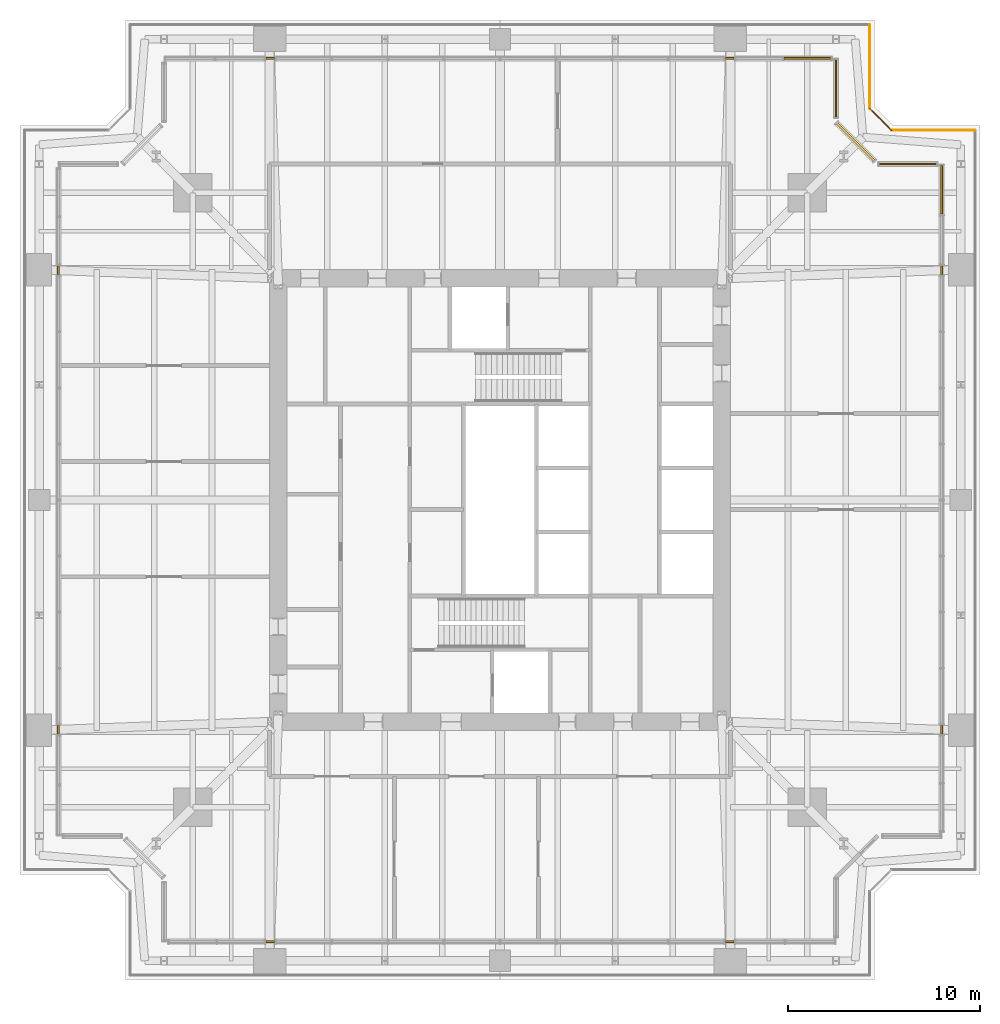
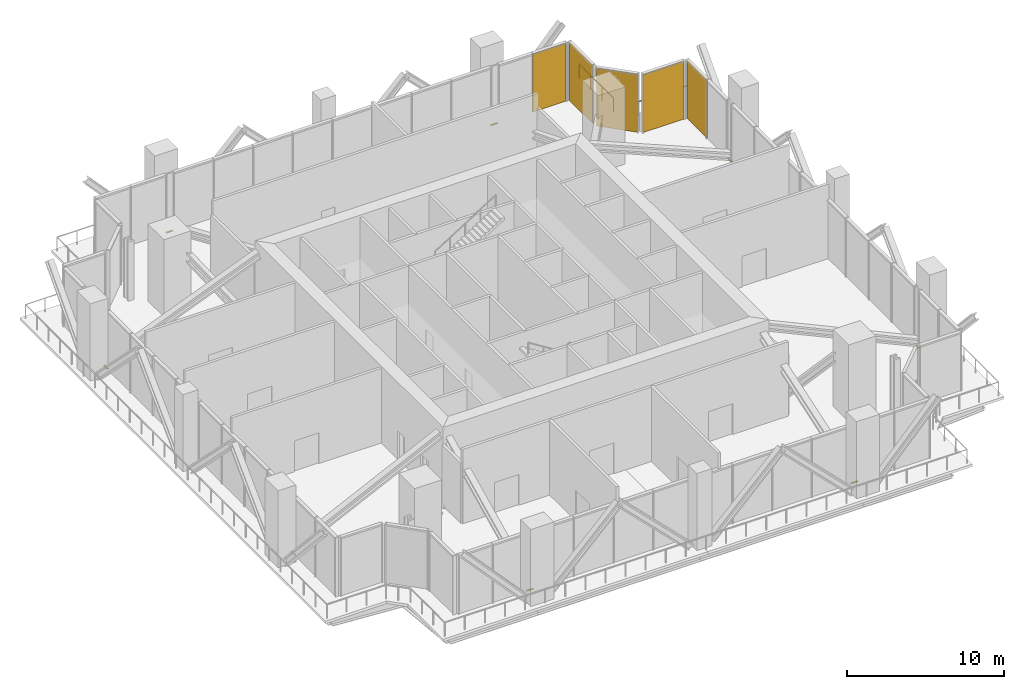
# One storey, part 14 of 14: 8 coverings, 5 shading devices, 3 railings, 5 elements without a shape of their own.
"""IFC4 building model written with IfcOpenShell, lengths in metres."""

from ifc_helpers import new_model, si_unit, direction, frame, origin, origin_2d, place, context, subcontext, project, spatial, rectangle, circle, extrude, material, layer, layer_set, type_object, element, aggregate, save


model = new_model("IFC4")

# Units and contexts
model_context = context("Model", 3, precision=1e-05, world=origin(), true_north=direction((0.0, 1.0)))
body_context = subcontext(model_context, "Body", "Model", "MODEL_VIEW")
ifc_project = project(units=[si_unit("LENGTHUNIT", "METRE"), si_unit("AREAUNIT", "SQUARE_METRE"), si_unit("VOLUMEUNIT", "CUBIC_METRE"), si_unit("PLANEANGLEUNIT", "RADIAN"), si_unit("MASSUNIT", "GRAM", prefix="KILO")], contexts=[model_context])

# Site, building, storey
site_placement = place(None, origin())
site = spatial("IfcSite", under=ifc_project, at=site_placement, CompositionType="ELEMENT")
building_placement = place(site_placement, origin())
building = spatial("IfcBuilding", under=site, at=building_placement, Name="Fenwick Lantern Interchange", CompositionType="ELEMENT")
storey_placement = place(building_placement, frame((0.0, 0.0, 233.800048828125)))
storey = spatial("IfcBuildingStorey", under=building, at=storey_placement, Name="L55", CompositionType="ELEMENT", Elevation=233.800048828125)

# Coverings
ifc_material_1 = material(Name="Insulated aluminium closure panel", Category="aluminium")
ifc_layer_1 = layer(ifc_material_1, 0.10009765625)
ifc_layer_set_1 = layer_set([ifc_layer_1], Name="LOUVRE SCREEN CLOSURE PANEL 100")
covering_type = type_object("IfcCoveringType", Name="LOUVRE SCREEN CLOSURE PANEL 100", PredefinedType="CLADDING", material=ifc_layer_set_1)
for number, where, z_axis, x_axis, name in (
    (1, (48.0, 13.03759765625, 0.0), (0.0, 0.0, 1.0), (0.0, 1.0, 0.0), "Louvre screen closure panel 04-1"),
    (2, (48.0, 36.96240234375, 0.0), (0.0, 0.0, 1.0), (0.0, 1.0, 0.0), "Louvre screen closure panel 04-2"),
):
    element("IfcCovering", number, at=place(storey_placement, frame(where, z_axis=z_axis, x_axis=x_axis)), inside=storey, type_object=covering_type, Name=name, PredefinedType="CLADDING", context=body_context, shape_type="SweptSolid", body=[
        extrude(rectangle(XDim=0.484375, YDim=0.10009765625, at=origin_2d()), origin(), (0.0, 0.0, 1.0), 0.060302734375),
    ])
for number, where, z_axis, x_axis, name in (
    (3, (36.965087890625, 48.0, 0.0), (0.0, 0.0, 1.0), (-1.0, 0.0, 0.0), "Louvre screen closure panel 08-1"),
    (4, (13.034912109375, 48.0, 0.0), (0.0, 0.0, 1.0), (-1.0, 0.0, 0.0), "Louvre screen closure panel 08-2"),
):
    element("IfcCovering", number, at=place(storey_placement, frame(where, z_axis=z_axis, x_axis=x_axis)), inside=storey, type_object=covering_type, Name=name, PredefinedType="CLADDING", context=body_context, shape_type="SweptSolid", body=[
        extrude(rectangle(XDim=0.483642578125, YDim=0.10009765625, at=origin_2d()), origin(), (0.0, 0.0, 1.0), 0.035888671875),
    ])
for number, where, z_axis, x_axis, name in (
    (5, (2.0, 36.96240234375, 0.0), (0.0, 0.0, 1.0), (0.0, -1.0, 0.0), "Louvre screen closure panel 12-1"),
    (6, (2.0, 13.03759765625, 0.0), (0.0, 0.0, 1.0), (0.0, -1.0, 0.0), "Louvre screen closure panel 12-2"),
):
    element("IfcCovering", number, at=place(storey_placement, frame(where, z_axis=z_axis, x_axis=x_axis)), inside=storey, type_object=covering_type, Name=name, PredefinedType="CLADDING", context=body_context, shape_type="SweptSolid", body=[
        extrude(rectangle(XDim=0.484375, YDim=0.10009765625, at=origin_2d()), origin(), (0.0, 0.0, 1.0), 0.060302734375),
    ])
for number, where, z_axis, x_axis, name in (
    (7, (13.034912109375, 2.0, 0.0), (0.0, 0.0, 1.0), (1.0, 0.0, 0.0), "Louvre screen closure panel 16-1"),
    (8, (36.965087890625, 2.0, 0.0), (0.0, 0.0, 1.0), (1.0, 0.0, 0.0), "Louvre screen closure panel 16-2"),
):
    element("IfcCovering", number, at=place(storey_placement, frame(where, z_axis=z_axis, x_axis=x_axis)), inside=storey, type_object=covering_type, Name=name, PredefinedType="CLADDING", context=body_context, shape_type="SweptSolid", body=[
        extrude(rectangle(XDim=0.483642578125, YDim=0.10009765625, at=origin_2d()), origin(), (0.0, 0.0, 1.0), 0.035888671875),
    ])

# Railings
ifc_material_2 = material(Name="Galvanised steel guard", Category="steel")
railing_type = type_object("IfcRailingType", Name="MAINTENANCE LEDGE GUARD 1100", PredefinedType="GUARDRAIL", material=ifc_material_2)
railing_1_placement = place(storey_placement, frame((49.75, 44.25, 0.0)))
element("IfcRailing", 9, at=railing_1_placement, inside=storey, type_object=railing_type, Name="L55/GR/LEDGE06", PredefinedType="GUARDRAIL", context=body_context, shape_type="SweptSolid", body=[
    extrude(circle(Radius=0.02392578125, at=origin_2d()), frame((0.0, 0.0, 1.076171875), z_axis=(-1.0, 0.0, 0.0), x_axis=(0.0, -1.0, 0.0)), (0.0, 0.0, 1.0), 4.353515625),
    extrude(circle(Radius=0.02099609375, at=origin_2d()), origin(), (0.0, 0.0, 1.0), 1.052001953125),
    extrude(circle(Radius=0.02099609375, at=origin_2d()), frame((-1.451171875, 0.0, 0.0)), (0.0, 0.0, 1.0), 1.052001953125),
    extrude(circle(Radius=0.02099609375, at=origin_2d()), frame((-2.90234375, 0.0, 0.0)), (0.0, 0.0, 1.0), 1.052001953125),
    extrude(circle(Radius=0.02099609375, at=origin_2d()), frame((-4.353515625, 0.0, 0.0)), (0.0, 0.0, 1.0), 1.052001953125),
])
railing_2_placement = place(storey_placement, frame((45.396484375, 44.25, 0.0)))
element("IfcRailing", 10, at=railing_2_placement, inside=storey, type_object=railing_type, Name="L55/GR/LEDGE07", PredefinedType="GUARDRAIL", context=body_context, shape_type="SweptSolid", body=[
    extrude(circle(Radius=0.02392578125, at=origin_2d()), frame((0.0, 0.0, 1.076171875), z_axis=(-0.707106781187, 0.707106781187, 0.0), x_axis=(-0.707106781187, -0.707106781187, 0.0)), (0.0, 0.0, 1.0), 1.621337890625),
    extrude(circle(Radius=0.02099609375, at=origin_2d()), origin(), (0.0, 0.0, 1.0), 1.052001953125),
    extrude(circle(Radius=0.02099609375, at=origin_2d()), frame((-0.5732421875, 0.5732421875, 0.0)), (0.0, 0.0, 1.0), 1.052001953125),
    extrude(circle(Radius=0.02099609375, at=origin_2d()), frame((-1.146484375, 1.146484375, 0.0)), (0.0, 0.0, 1.0), 1.052001953125),
])
railing_3_placement = place(storey_placement, frame((44.25, 45.396484375, 0.0)))
element("IfcRailing", 11, at=railing_3_placement, inside=storey, type_object=railing_type, Name="L55/GR/LEDGE08", PredefinedType="GUARDRAIL", context=body_context, shape_type="SweptSolid", body=[
    extrude(circle(Radius=0.02392578125, at=origin_2d()), frame((0.0, 0.0, 1.076171875), z_axis=(0.0, 1.0, 0.0), x_axis=(-1.0, 0.0, 0.0)), (0.0, 0.0, 1.0), 4.353515625),
    extrude(circle(Radius=0.02099609375, at=origin_2d()), origin(), (0.0, 0.0, 1.0), 1.052001953125),
    extrude(circle(Radius=0.02099609375, at=origin_2d()), frame((0.0, 1.451171875, 0.0)), (0.0, 0.0, 1.0), 1.052001953125),
    extrude(circle(Radius=0.02099609375, at=origin_2d()), frame((0.0, 2.90234375, 0.0)), (0.0, 0.0, 1.0), 1.052001953125),
    extrude(circle(Radius=0.02099609375, at=origin_2d()), frame((0.0, 4.353515625, 0.0)), (0.0, 0.0, 1.0), 1.052001953125),
])

# Curtain wall, shading device
ifc_material_3 = material(Name="Aluminium curtain wall frame", Category="aluminium")
curtain_wall_type = type_object("IfcCurtainWallType", Name="PLANT LOUVRE SCREEN", PredefinedType="USERDEFINED", material=ifc_material_3)
curtain_wall_1_placement = place(storey_placement, origin())
curtain_wall_1 = element("IfcCurtainWall", 12, at=curtain_wall_1_placement, inside=storey, type_object=curtain_wall_type, Name="Plant louvre screen 04C", ObjectType="PLANT LOUVRE SCREEN", PredefinedType="USERDEFINED")
ifc_material_4 = material(Name="Louvre panel, anodised aluminium blades", Category="aluminium")
ifc_layer_2 = layer(ifc_material_4, 0.10009765625)
ifc_layer_set_2 = layer_set([ifc_layer_2], Name="PLANT LOUVRE SCREEN PANEL 100")
shading_device_type = type_object("IfcShadingDeviceType", Name="PLANT LOUVRE SCREEN PANEL 100", PredefinedType="SHUTTER", material=ifc_layer_set_2)
shading_device_1_placement = place(storey_placement, frame((48.0, 41.157470703125, 0.0), z_axis=(0.0, 0.0, 1.0), x_axis=(0.0, 1.0, 0.0)))
shading_device_1 = element("IfcShadingDevice", 13, at=shading_device_1_placement, type_object=shading_device_type, Name="L55/CW/04C/P01", PredefinedType="SHUTTER", context=body_context, shape_type="SweptSolid", body=[
    extrude(rectangle(XDim=2.53515625, YDim=0.10009765625, at=origin_2d()), origin(), (0.0, 0.0, 1.0), 4.47998046875),
])
aggregate(curtain_wall_1, [shading_device_1])

curtain_wall_2_placement = place(storey_placement, origin())
curtain_wall_2 = element("IfcCurtainWall", 14, at=curtain_wall_2_placement, inside=storey, type_object=curtain_wall_type, Name="Plant louvre screen 05", ObjectType="PLANT LOUVRE SCREEN", PredefinedType="USERDEFINED")
shading_device_2_placement = place(storey_placement, frame((46.23583984375, 42.5, 0.0), z_axis=(0.0, 0.0, 1.0), x_axis=(-1.0, 0.0, 0.0)))
shading_device_2 = element("IfcShadingDevice", 15, at=shading_device_2_placement, type_object=shading_device_type, Name="L55/CW/05/P00", PredefinedType="SHUTTER", context=body_context, shape_type="SweptSolid", body=[
    extrude(rectangle(XDim=2.978515625, YDim=0.10009765625, at=origin_2d()), origin(), (0.0, 0.0, 1.0), 4.47998046875),
])
aggregate(curtain_wall_2, [shading_device_2])

curtain_wall_3_placement = place(storey_placement, origin())
curtain_wall_3 = element("IfcCurtainWall", 16, at=curtain_wall_3_placement, inside=storey, type_object=curtain_wall_type, Name="Plant louvre screen 06", ObjectType="PLANT LOUVRE SCREEN", PredefinedType="USERDEFINED")
shading_device_3_placement = place(storey_placement, frame((43.51513671875, 43.656494140625, 0.0), z_axis=(0.0, 0.0, 1.0), x_axis=(-0.707106781187, 0.707106781187, 0.0)))
shading_device_3 = element("IfcShadingDevice", 17, at=shading_device_3_placement, type_object=shading_device_type, Name="L55/CW/06/P00", PredefinedType="SHUTTER", context=body_context, shape_type="SweptSolid", body=[
    extrude(rectangle(XDim=2.720947265625, YDim=0.10009765625, at=origin_2d()), origin(), (0.0, 0.0, 1.0), 4.47998046875),
])
aggregate(curtain_wall_3, [shading_device_3])

curtain_wall_4_placement = place(storey_placement, origin())
curtain_wall_4 = element("IfcCurtainWall", 18, at=curtain_wall_4_placement, inside=storey, type_object=curtain_wall_type, Name="Plant louvre screen 07", ObjectType="PLANT LOUVRE SCREEN", PredefinedType="USERDEFINED")
shading_device_4_placement = place(storey_placement, frame((42.5, 46.435791015625, 0.0), z_axis=(0.0, 0.0, 1.0), x_axis=(0.0, 1.0, 0.0)))
shading_device_4 = element("IfcShadingDevice", 19, at=shading_device_4_placement, type_object=shading_device_type, Name="L55/CW/07/P00", PredefinedType="SHUTTER", context=body_context, shape_type="SweptSolid", body=[
    extrude(rectangle(XDim=2.978515625, YDim=0.10009765625, at=origin_2d()), origin(), (0.0, 0.0, 1.0), 4.47998046875),
])
aggregate(curtain_wall_4, [shading_device_4])

curtain_wall_5_placement = place(storey_placement, origin())
curtain_wall_5 = element("IfcCurtainWall", 20, at=curtain_wall_5_placement, inside=storey, type_object=curtain_wall_type, Name="Plant louvre screen 08A", ObjectType="PLANT LOUVRE SCREEN", PredefinedType="USERDEFINED")
shading_device_5_placement = place(storey_placement, frame((41.008056640625, 48.0, 0.0), z_axis=(0.0, 0.0, 1.0), x_axis=(-1.0, 0.0, 0.0)))
shading_device_5 = element("IfcShadingDevice", 21, at=shading_device_5_placement, type_object=shading_device_type, Name="L55/CW/08A/P00", PredefinedType="SHUTTER", context=body_context, shape_type="SweptSolid", body=[
    extrude(rectangle(XDim=2.43408203125, YDim=0.10009765625, at=origin_2d()), origin(), (0.0, 0.0, 1.0), 4.47998046875),
])
aggregate(curtain_wall_5, [shading_device_5])

save(model, "model.ifc")
